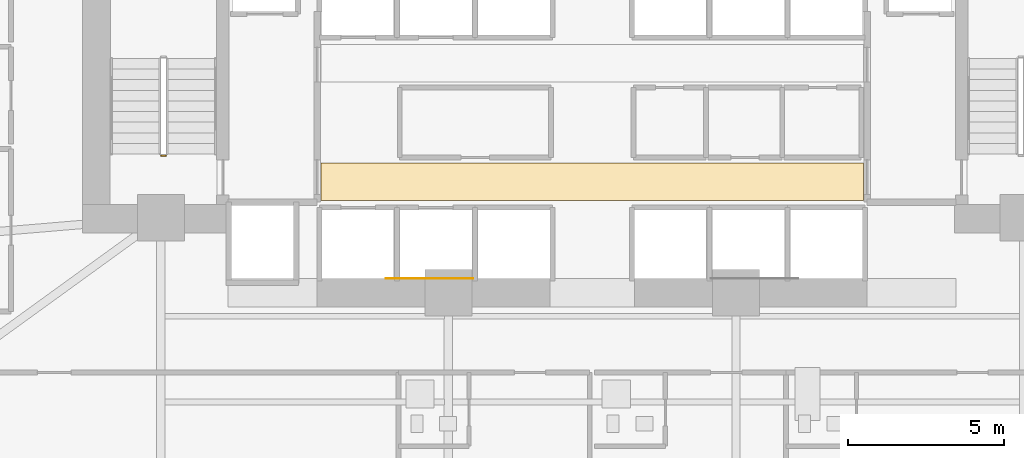
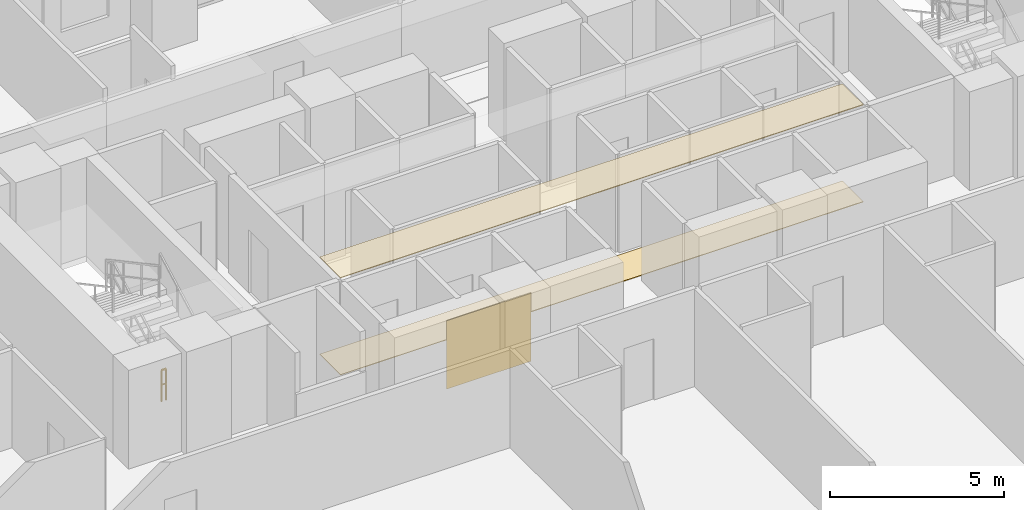
# One storey, part 25 of 30: 3 coverings, 1 railing.
"""IFC4 building model written with IfcOpenShell, lengths in metres."""

from ifc_helpers import new_model, si_unit, direction, frame, origin, origin_2d, place, context, subcontext, project, spatial, polyline, rectangle, outline, extrude, material, layer, layer_set, type_object, element, save


model = new_model("IFC4")

# Units and contexts
model_context = context("Model", 3, precision=1e-05, world=origin(), true_north=direction((0.0, 1.0)))
body_context = subcontext(model_context, "Body", "Model", "MODEL_VIEW")
ifc_project = project(units=[si_unit("LENGTHUNIT", "METRE"), si_unit("AREAUNIT", "SQUARE_METRE"), si_unit("VOLUMEUNIT", "CUBIC_METRE"), si_unit("PLANEANGLEUNIT", "RADIAN"), si_unit("MASSUNIT", "GRAM", prefix="KILO")], contexts=[model_context])

# Site, building, storey
site_placement = place(None, origin())
site = spatial("IfcSite", under=ifc_project, at=site_placement, CompositionType="ELEMENT")
building_placement = place(site_placement, origin())
building = spatial("IfcBuilding", under=site, at=building_placement, Name="Zuhayl Quay Hotel", CompositionType="ELEMENT")
storey_placement = place(building_placement, frame((0.0, 0.0, 82.35009765625)))
storey = spatial("IfcBuildingStorey", under=building, at=storey_placement, Name="L20", CompositionType="ELEMENT", Elevation=82.35009765625)

# Coverings
ifc_material_1 = material(Name="Acoustic Mineral-Fibre Gypsum Board")
ifc_layer_1 = layer(ifc_material_1, 0.02490234375, Name="Acoustic Mineral-Fibre Gypsum Board")
ifc_layer_set_1 = layer_set([ifc_layer_1], Name="Acoustic Mineral-Fibre Gypsum Board")
covering_type_1 = type_object("IfcCoveringType", Name="CV_CEIL_ACOUSTIC", PredefinedType="CEILING", material=ifc_layer_set_1)
covering_1_placement = place(storey_placement, frame((0.0, 0.0, 3.40478515625)))
element("IfcCovering", 1, at=covering_1_placement, inside=storey, type_object=covering_type_1, Name="L20 Suspended Acoustic Lobby Ceiling S", PredefinedType="CEILING", context=body_context, shape_type="SweptSolid", body=[
    extrude(outline(polyline([(-8.679931640625, 5.10009765625), (8.679931640625, 5.10009765625), (8.679931640625, 6.300048828125), (-8.679931640625, 6.300048828125), (-8.679931640625, 5.10009765625)])), origin(), (0.0, 0.0, 1.0), 0.025146484375),
])
ifc_material_2 = material(Name="Polished Limestone Terrazzo", Category="masonry")
ifc_layer_2 = layer(ifc_material_2, 0.02001953125, Name="Polished Limestone Terrazzo", Category="masonry")
ifc_layer_set_2 = layer_set([ifc_layer_2], Name="Polished Limestone Terrazzo")
covering_type_2 = type_object("IfcCoveringType", Name="CV_FLOOR_TERRAZZO", PredefinedType="FLOORING", material=ifc_layer_set_2)
covering_2_placement = place(storey_placement, origin())
element("IfcCovering", 2, at=covering_2_placement, inside=storey, type_object=covering_type_2, Name="L20 Honed Limestone Terrazzo Lobby Flooring S", PredefinedType="FLOORING", context=body_context, shape_type="SweptSolid", body=[
    extrude(outline(polyline([(-8.679931640625, 5.10009765625), (8.679931640625, 5.10009765625), (8.679931640625, 6.300048828125), (-8.679931640625, 6.300048828125), (-8.679931640625, 5.10009765625)])), origin(), (0.0, 0.0, 1.0), 0.02001953125),
])
ifc_material_3 = material(Name="Acoustic Walnut Feature Timber", Category="wood")
ifc_layer_3 = layer(ifc_material_3, 0.02197265625, Name="Acoustic Walnut Feature Timber", Category="wood")
ifc_layer_set_3 = layer_set([ifc_layer_3], Name="Acoustic Walnut Feature Timber")
covering_type_3 = type_object("IfcCoveringType", Name="CV_WALL_CLAD", PredefinedType="CLADDING", material=ifc_layer_set_3)
covering_3_placement = place(storey_placement, frame((-5.199951171875, 2.611083984375, 0.300048828125), z_axis=(0.0, 0.0, 1.0), x_axis=(1.0, 0.0, 0.0)))
element("IfcCovering", 3, at=covering_3_placement, inside=storey, type_object=covering_type_3, Name="L20 Feature Lobby Walnut Wall Cladding W", PredefinedType="CLADDING", context=body_context, shape_type="SweptSolid", body=[
    extrude(rectangle(XDim=2.800048828125, YDim=0.02197265625, at=origin_2d()), origin(), (0.0, 0.0, 1.0), 2.39990234375),
])

# Railing
ifc_material_4 = material(Name="Steel ASTM A992 Grade 50", Category="steel")
railing_type = type_object("IfcRailingType", Name="RL_GUARD_1100", PredefinedType="GUARDRAIL", material=ifc_material_4)
railing_placement = place(storey_placement, frame((-13.639892578125, 6.5400390625, 0.0)))
element("IfcRailing", 4, at=railing_placement, inside=storey, type_object=railing_type, Name="L20 ST1 stair guard 4", PredefinedType="GUARDRAIL", context=body_context, shape_type="SweptSolid", body=[
    extrude(rectangle(XDim=0.048095703125, YDim=0.048095703125, at=origin_2d()), frame((0.0, 0.0, 1.09619140625), z_axis=(-1.0, 0.0, 0.0), x_axis=(0.0, -1.0, 0.0)), (0.0, 0.0, 1.0), 0.150146484375),
    extrude(rectangle(XDim=0.0361328125, YDim=0.0361328125, at=origin_2d()), frame((0.0, 0.0, 0.58251953125), z_axis=(-1.0, 0.0, 0.0), x_axis=(0.0, -1.0, 0.0)), (0.0, 0.0, 1.0), 0.150146484375),
    extrude(rectangle(XDim=0.0419921875, YDim=0.0419921875, at=origin_2d()), origin(), (0.0, 0.0, 1.0), 1.072021484375),
    extrude(rectangle(XDim=0.0419921875, YDim=0.0419921875, at=origin_2d()), frame((-0.150146484375, 0.0, 0.0)), (0.0, 0.0, 1.0), 1.072021484375),
])

save(model, "model.ifc")
